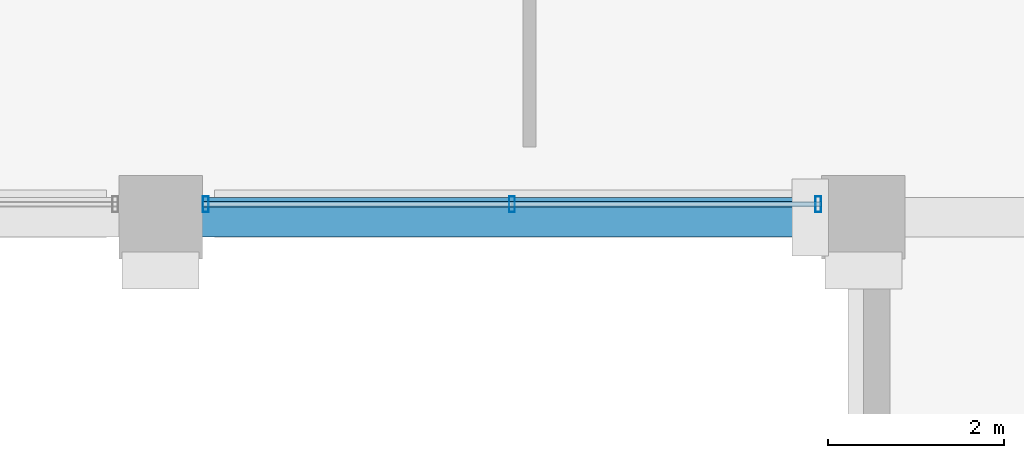
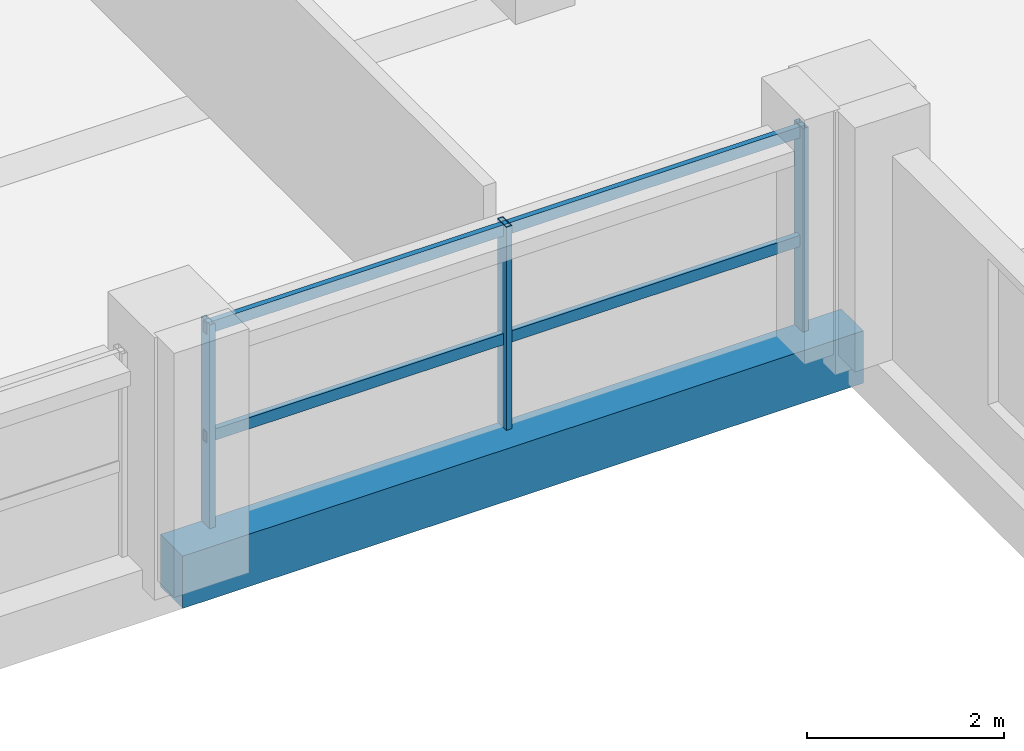
# One storey, part 8 of 25: 5 members, 1 beam, 1 element without a shape of its own.
"""IFC4 building model written with IfcOpenShell, lengths in metres."""

from ifc_helpers import new_model, si_unit, direction, frame, origin, origin_2d, place, context, subcontext, project, spatial, rectangle, hollow_rectangle, extrude, material, material_profile, profile_set, type_object, element, aggregate, save


model = new_model("IFC4")

# Units and contexts
model_context = context("Model", 3, precision=1e-05, world=origin(), true_north=direction((0.0, 1.0)))
body_context = subcontext(model_context, "Body", "Model", "MODEL_VIEW")
ifc_project = project(units=[si_unit("LENGTHUNIT", "METRE"), si_unit("AREAUNIT", "SQUARE_METRE"), si_unit("VOLUMEUNIT", "CUBIC_METRE"), si_unit("PLANEANGLEUNIT", "RADIAN"), si_unit("MASSUNIT", "GRAM", prefix="KILO")], contexts=[model_context])

# Site, building, storey
site_placement = place(None, origin())
site = spatial("IfcSite", under=ifc_project, at=site_placement, CompositionType="ELEMENT")
building_placement = place(site_placement, origin())
building = spatial("IfcBuilding", under=site, at=building_placement, Name="Akrevak Sports Hall", CompositionType="ELEMENT")
storey_placement = place(building_placement, frame((0.0, 0.0, 50.300048828125)))
storey = spatial("IfcBuildingStorey", under=building, at=storey_placement, Name="L12", CompositionType="ELEMENT", Elevation=50.300048828125)

# Curtain wall, members
ifc_material_1 = material(Name="Anodized Bronze Aluminium & Low-E Glass", Category="aluminium")
curtain_wall_type = type_object("IfcCurtainWallType", Name="ARC-CW-TWR-72x30", PredefinedType="NOTDEFINED", material=ifc_material_1)
curtain_wall_placement = place(storey_placement, origin())
curtain_wall = element("IfcCurtainWall", 1, at=curtain_wall_placement, inside=storey, type_object=curtain_wall_type, Name="Curtain Wall CW-L12-S06", PredefinedType="NOTDEFINED")
ifc_material_2 = material(Name="Anodized Bronze Aluminium", Category="aluminium")
ifc_material_profile_1 = material_profile(ifc_material_2, hollow_rectangle(XDim=0.06494140625, YDim=0.179931640625, WallThickness=0.00390625, at=origin_2d()), Name="CWM 65x180", Category="aluminium")
ifc_profile_set_1 = profile_set([ifc_material_profile_1], Name="Anodized Bronze Aluminium")
member_type_1 = type_object("IfcMemberType", Name="ARC-CWM-65x140", PredefinedType="MULLION", material=ifc_profile_set_1)
member_1_placement = place(storey_placement, frame((84.514892578125, 28.949951171875, 0.0), z_axis=(0.0, 0.0, 1.0), x_axis=(1.0, 0.0, 0.0)))
member_1 = element("IfcMember", 2, at=member_1_placement, type_object=member_type_1, Name="Curtain Wall Mullion CW-L12-S06-M1", PredefinedType="MULLION", context=body_context, shape_type="SweptSolid", body=[
    extrude(hollow_rectangle(XDim=0.06494140625, YDim=0.179931640625, WallThickness=0.00390625, at=origin_2d()), origin(), (0.0, 0.0, 1.0), 2.530029296875),
])
member_2_placement = place(storey_placement, frame((88.0, 28.949951171875, 0.0), z_axis=(0.0, 0.0, 1.0), x_axis=(1.0, 0.0, 0.0)))
member_2 = element("IfcMember", 3, at=member_2_placement, type_object=member_type_1, Name="Curtain Wall Mullion CW-L12-S06-M2", PredefinedType="MULLION", context=body_context, shape_type="SweptSolid", body=[
    extrude(hollow_rectangle(XDim=0.06494140625, YDim=0.179931640625, WallThickness=0.00390625, at=origin_2d()), origin(), (0.0, 0.0, 1.0), 2.530029296875),
])
member_3_placement = place(storey_placement, frame((91.485107421875, 28.949951171875, 0.0), z_axis=(0.0, 0.0, 1.0), x_axis=(1.0, 0.0, 0.0)))
member_3 = element("IfcMember", 4, at=member_3_placement, type_object=member_type_1, Name="Curtain Wall Mullion CW-L12-S06-M3", PredefinedType="MULLION", context=body_context, shape_type="SweptSolid", body=[
    extrude(hollow_rectangle(XDim=0.06494140625, YDim=0.179931640625, WallThickness=0.00390625, at=origin_2d()), origin(), (0.0, 0.0, 1.0), 2.530029296875),
])
ifc_material_profile_2 = material_profile(ifc_material_2, hollow_rectangle(XDim=0.06494140625, YDim=0.139892578125, WallThickness=0.00390625, at=origin_2d()), Name="CWT 65x140", Category="aluminium")
ifc_profile_set_2 = profile_set([ifc_material_profile_2], Name="Anodized Bronze Aluminium")
member_type_2 = type_object("IfcMemberType", Name="ARC-CWT-65x110", PredefinedType="USERDEFINED", material=ifc_profile_set_2)
member_4_placement = place(storey_placement, frame((84.47509765625, 28.949951171875, 1.099853515625), z_axis=(1.0, 0.0, 0.0), x_axis=(0.0, 1.0, 0.0)))
member_4 = element("IfcMember", 5, at=member_4_placement, type_object=member_type_2, Name="Curtain Wall Transom CW-L12-S06-T1", ObjectType="TRANSOM", PredefinedType="USERDEFINED", context=body_context, shape_type="SweptSolid", body=[
    extrude(hollow_rectangle(XDim=0.06494140625, YDim=0.139892578125, WallThickness=0.00390625, at=origin_2d()), origin(), (0.0, 0.0, 1.0), 7.0498046875),
])
member_5_placement = place(storey_placement, frame((84.47509765625, 28.949951171875, 2.449951171875), z_axis=(1.0, 0.0, 0.0), x_axis=(0.0, 1.0, 0.0)))
member_5 = element("IfcMember", 6, at=member_5_placement, type_object=member_type_2, Name="Curtain Wall Transom CW-L12-S06-T2", ObjectType="TRANSOM", PredefinedType="USERDEFINED", context=body_context, shape_type="SweptSolid", body=[
    extrude(hollow_rectangle(XDim=0.06494140625, YDim=0.139892578125, WallThickness=0.00390625, at=origin_2d()), origin(), (0.0, 0.0, 1.0), 7.0498046875),
])
aggregate(curtain_wall, [member_1, member_2, member_3, member_4, member_5])

# Beam
ifc_material_3 = material(Name="Concrete C40/50", Category="concrete")
ifc_material_profile_3 = material_profile(ifc_material_3, rectangle(XDim=0.449951171875, YDim=0.64990234375, at=origin_2d()), Name="BM 450x650", Category="concrete")
ifc_profile_set_3 = profile_set([ifc_material_profile_3], Name="Concrete C40/50")
beam_type = type_object("IfcBeamType", Name="STR-BM-RC450x650", PredefinedType="BEAM", material=ifc_profile_set_3)
beam_placement = place(storey_placement, frame((84.0, 28.800048828125, -0.324951171875), z_axis=(1.0, 0.0, 0.0), x_axis=(0.0, 1.0, 0.0)))
element("IfcBeam", 7, at=beam_placement, inside=storey, type_object=beam_type, Name="Girder E/12-13 (L12)", PredefinedType="BEAM", context=body_context, shape_type="SweptSolid", body=[
    extrude(rectangle(XDim=0.449951171875, YDim=0.64990234375, at=origin_2d()), origin(), (0.0, 0.0, 1.0), 8.0),
])

save(model, "model.ifc")
